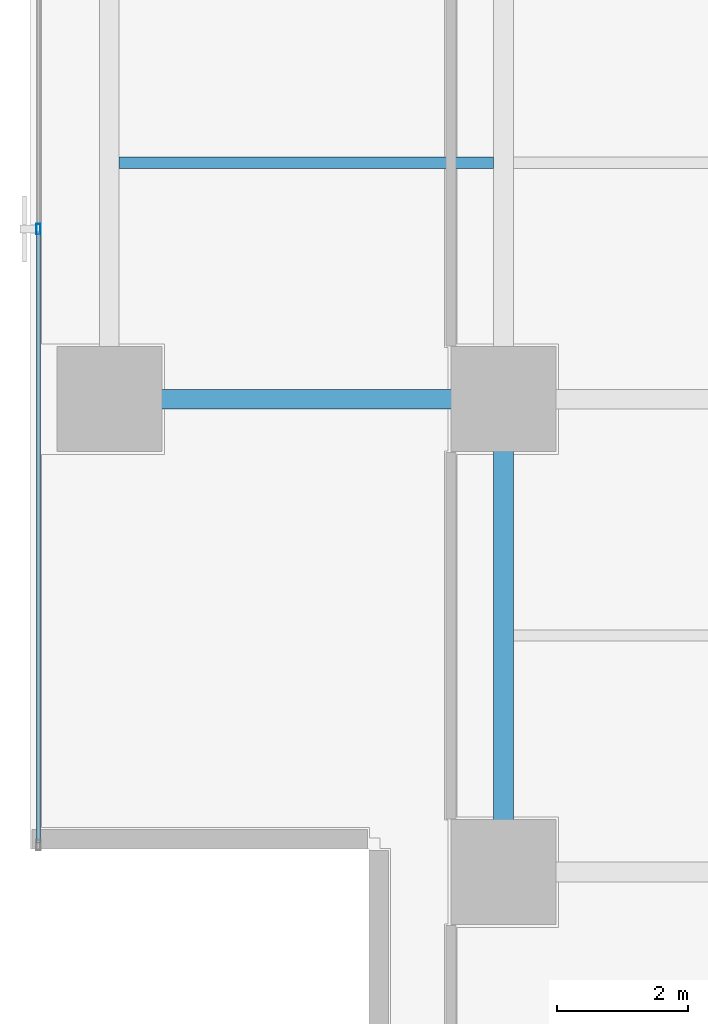
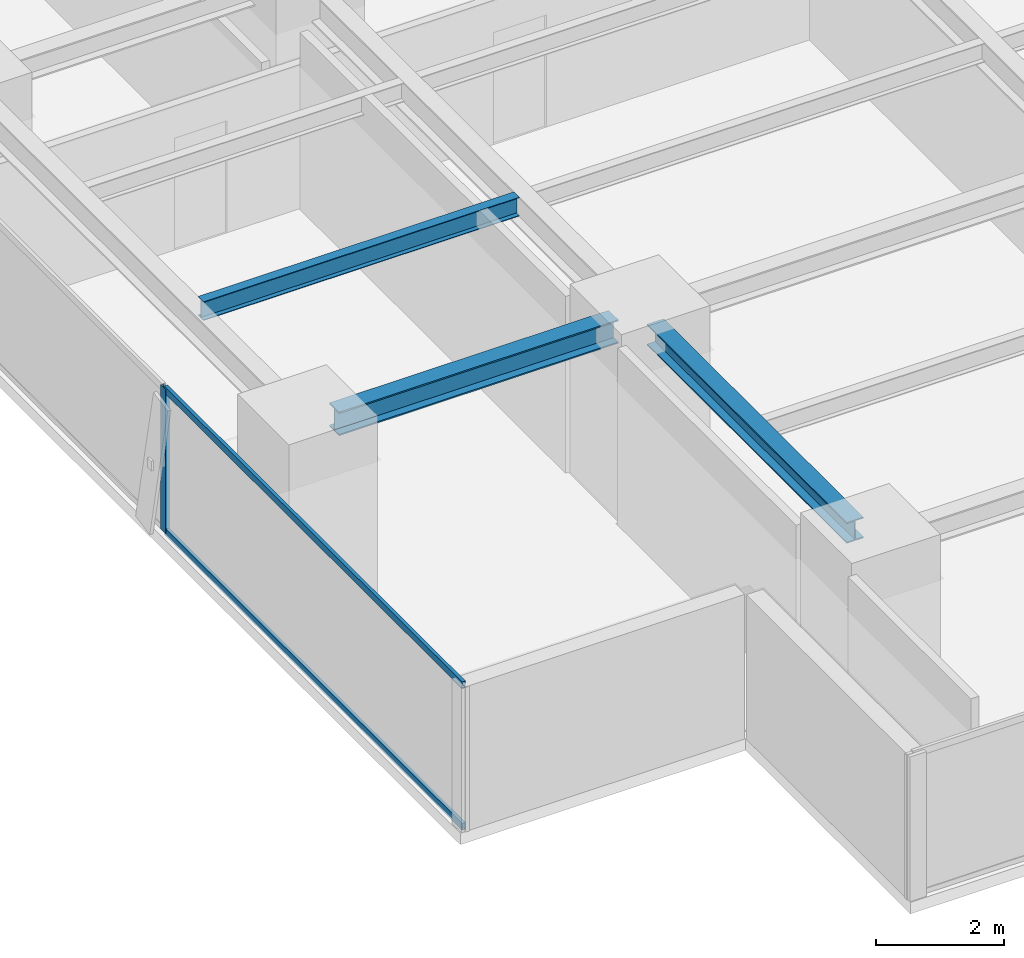
# One storey, part 3 of 28: 3 beams, 3 members, 1 element without a shape of its own.
"""IFC4 building model written with IfcOpenShell, lengths in metres."""

from ifc_helpers import new_model, si_unit, direction, frame, origin, origin_2d, place, context, subcontext, project, spatial, hollow_rectangle, i_section, extrude, source, transform, mapped, material, layer, layer_set, material_profile, profile_set, type_object, element, aggregate, save


model = new_model("IFC4")

# Units and contexts
model_context = context("Model", 3, precision=1e-05, world=origin(), true_north=direction((0.0, 1.0)))
body_context = subcontext(model_context, "Body", "Model", "MODEL_VIEW")
ifc_project = project(units=[si_unit("LENGTHUNIT", "METRE"), si_unit("AREAUNIT", "SQUARE_METRE"), si_unit("VOLUMEUNIT", "CUBIC_METRE"), si_unit("PLANEANGLEUNIT", "RADIAN"), si_unit("MASSUNIT", "GRAM", prefix="KILO")], contexts=[model_context])

# Site, building, storey
site_placement = place(None, origin())
site = spatial("IfcSite", under=ifc_project, at=site_placement, CompositionType="ELEMENT")
building_placement = place(site_placement, origin())
building = spatial("IfcBuilding", under=site, at=building_placement, Name="Sumidabori Civic Tower", CompositionType="ELEMENT")
storey_placement = place(building_placement, frame((0.0, 0.0, 146.0)))
storey = spatial("IfcBuildingStorey", under=building, at=storey_placement, Name="L37", CompositionType="ELEMENT", Elevation=146.0)

# Beams
ifc_material_1 = material(Name="Steel SN490", Category="steel")
ifc_material_profile_1 = material_profile(ifc_material_1, i_section(OverallWidth=0.300048828125, OverallDepth=0.39990234375, WebThickness=0.013427734375, FlangeThickness=0.02392578125, at=origin_2d()), Name="HE 400 B")
ifc_profile_set_1 = profile_set([ifc_material_profile_1], Name="Steel SN490")
beam_type_1 = type_object("IfcBeamType", Name="BM-GIRD-400", PredefinedType="BEAM", material=ifc_profile_set_1)
shared_shape_1 = source(origin(), body_context, "Body", "SweptSolid", [
    extrude(i_section(OverallWidth=0.300048828125, OverallDepth=0.39990234375, WebThickness=0.013427734375, FlangeThickness=0.02392578125, at=origin_2d()), origin(), (0.0, 0.0, 1.0), 6.239990234375),
])
beam_1_placement = place(storey_placement, frame((-16.800048828125, -17.52001953125, 3.179931640625), z_axis=(0.0, 1.0, 0.0), x_axis=(-1.0, 0.0, 0.0)))
element("IfcBeam", 1, at=beam_1_placement, inside=storey, type_object=beam_type_1, Name="Primary Girder L37 GY-22", PredefinedType="BEAM", context=body_context, shape_type="MappedRepresentation", body=[
    mapped(shared_shape_1, transform((0.0, 0.0, 0.0), x_axis=(1.0, 0.0, 0.0), y_axis=(0.0, 1.0, 0.0), z_axis=(0.0, 0.0, 1.0), scale=1.0)),
])
ifc_material_profile_2 = material_profile(ifc_material_1, i_section(OverallWidth=0.169921875, OverallDepth=0.360107421875, WebThickness=0.008056640625, FlangeThickness=0.0126953125, at=origin_2d()), Name="IPE 360")
ifc_profile_set_2 = profile_set([ifc_material_profile_2], Name="Steel SN490")
beam_type_2 = type_object("IfcBeamType", Name="BM-JST-360", PredefinedType="JOIST", material=ifc_profile_set_2)
shared_shape_2 = source(origin(), body_context, "Body", "SweptSolid", [
    extrude(i_section(OverallWidth=0.169921875, OverallDepth=0.360107421875, WebThickness=0.008056640625, FlangeThickness=0.0126953125, at=origin_2d()), origin(), (0.0, 0.0, 1.0), 5.699951171875),
])
beam_2_placement = place(storey_placement, frame((-22.64990234375, -7.199951171875, 3.199951171875), z_axis=(1.0, 0.0, 0.0), x_axis=(0.0, 1.0, 0.0)))
element("IfcBeam", 2, at=beam_2_placement, inside=storey, type_object=beam_type_2, Name="Outer Bay Floor Joist L37 JSTO-39", PredefinedType="JOIST", context=body_context, shape_type="MappedRepresentation", body=[
    mapped(shared_shape_2, transform((0.0, 0.0, 0.0), x_axis=(1.0, 0.0, 0.0), y_axis=(0.0, 1.0, 0.0), z_axis=(0.0, 0.0, 1.0), scale=1.0)),
])
ifc_material_profile_3 = material_profile(ifc_material_1, i_section(OverallWidth=0.300048828125, OverallDepth=0.449951171875, WebThickness=0.013916015625, FlangeThickness=0.02587890625, at=origin_2d()), Name="HE 450 B")
ifc_profile_set_3 = profile_set([ifc_material_profile_3], Name="Steel SN490")
beam_type_3 = type_object("IfcBeamType", Name="BM-GIRD-450", PredefinedType="BEAM", material=ifc_profile_set_3)
shared_shape_3 = source(origin(), body_context, "Body", "SweptSolid", [
    extrude(i_section(OverallWidth=0.300048828125, OverallDepth=0.449951171875, WebThickness=0.013916015625, FlangeThickness=0.02587890625, at=origin_2d()), origin(), (0.0, 0.0, 1.0), 5.0400390625),
])
beam_3_placement = place(storey_placement, frame((-22.320068359375, -10.800048828125, 3.155029296875), z_axis=(1.0, 0.0, 0.0), x_axis=(0.0, 1.0, 0.0)))
element("IfcBeam", 3, at=beam_3_placement, inside=storey, type_object=beam_type_3, Name="Primary Girder L37 GX-05", PredefinedType="BEAM", context=body_context, shape_type="MappedRepresentation", body=[
    mapped(shared_shape_3, transform((0.0, 0.0, 0.0), x_axis=(1.0, 0.0, 0.0), y_axis=(0.0, 1.0, 0.0), z_axis=(0.0, 0.0, 1.0), scale=1.0)),
])

# Curtain wall, members
ifc_material_2 = material(Name="Anodised Bronze Aluminium AW-6063-T6", Category="aluminium")
ifc_layer = layer(ifc_material_2, 0.179931640625, Name="Anodised Bronze Aluminium AW-6063-T6")
ifc_layer_set = layer_set([ifc_layer], Name="Anodised Bronze Aluminium AW-6063-T6")
curtain_wall_type = type_object("IfcCurtainWallType", Name="CW-SYS-3", PredefinedType="NOTDEFINED", material=ifc_layer_set)
curtain_wall_placement = place(storey_placement, origin())
curtain_wall = element("IfcCurtainWall", 4, at=curtain_wall_placement, inside=storey, type_object=curtain_wall_type, Name="Curtain Wall CW:L37:R10", PredefinedType="NOTDEFINED")
ifc_material_profile_4 = material_profile(ifc_material_2, hollow_rectangle(XDim=0.06494140625, YDim=0.159912109375, WallThickness=0.0048828125, at=origin_2d()), Name="ALU MULLION 160x65")
ifc_profile_set_4 = profile_set([ifc_material_profile_4], Name="Anodised Bronze Aluminium AW-6063-T6")
member_type_1 = type_object("IfcMemberType", Name="CW-MUL-160", PredefinedType="MULLION", material=ifc_profile_set_4)
shared_shape_4 = source(origin(), body_context, "Body", "SweptSolid", [
    extrude(hollow_rectangle(XDim=0.06494140625, YDim=0.159912109375, WallThickness=0.0048828125, at=origin_2d()), origin(), (0.0, 0.0, 1.0), 2.760009765625),
])
member_1_placement = place(storey_placement, frame((-23.8798828125, -8.2099609375, 0.0), z_axis=(0.0, 0.0, 1.0), x_axis=(1.0, 0.0, 0.0)))
member_1 = element("IfcMember", 5, at=member_1_placement, type_object=member_type_1, Name="CW-3 mullion 4", PredefinedType="MULLION", context=body_context, shape_type="MappedRepresentation", body=[
    mapped(shared_shape_4, transform((0.0, 0.0, 0.0), x_axis=(1.0, 0.0, 0.0), y_axis=(0.0, 1.0, 0.0), z_axis=(0.0, 0.0, 1.0), scale=1.0)),
])
ifc_material_profile_5 = material_profile(ifc_material_2, hollow_rectangle(XDim=0.06005859375, YDim=0.1298828125, WallThickness=0.0048828125, at=origin_2d()), Name="ALU TRANSOM 130x60")
ifc_profile_set_5 = profile_set([ifc_material_profile_5], Name="Anodised Bronze Aluminium AW-6063-T6")
member_type_2 = type_object("IfcMemberType", Name="CW-TRN-130", PredefinedType="USERDEFINED", material=ifc_profile_set_5)
shared_shape_5 = source(origin(), body_context, "Body", "SweptSolid", [
    extrude(hollow_rectangle(XDim=0.06005859375, YDim=0.1298828125, WallThickness=0.0048828125, at=origin_2d()), origin(), (0.0, 0.0, 1.0), 9.3125),
])
member_2_placement = place(storey_placement, frame((-23.8798828125, -8.242431640625, 0.030029296875), z_axis=(0.0, -1.0, 0.0), x_axis=(1.0, 0.0, 0.0)))
member_2 = element("IfcMember", 6, at=member_2_placement, type_object=member_type_2, Name="CW-3 transom 4.1", ObjectType="TRANSOM", PredefinedType="USERDEFINED", context=body_context, shape_type="MappedRepresentation", body=[
    mapped(shared_shape_5, transform((0.0, 0.0, 0.0), x_axis=(1.0, 0.0, 0.0), y_axis=(0.0, 1.0, 0.0), z_axis=(0.0, 0.0, 1.0), scale=1.0)),
])
member_3_placement = place(storey_placement, frame((-23.8798828125, -8.242431640625, 2.72998046875), z_axis=(0.0, -1.0, 0.0), x_axis=(1.0, 0.0, 0.0)))
member_3 = element("IfcMember", 7, at=member_3_placement, type_object=member_type_2, Name="CW-3 transom 4.2", ObjectType="TRANSOM", PredefinedType="USERDEFINED", context=body_context, shape_type="MappedRepresentation", body=[
    mapped(shared_shape_5, transform((0.0, 0.0, 0.0), x_axis=(1.0, 0.0, 0.0), y_axis=(0.0, 1.0, 0.0), z_axis=(0.0, 0.0, 1.0), scale=1.0)),
])
aggregate(curtain_wall, [member_1, member_2, member_3])

save(model, "model.ifc")
